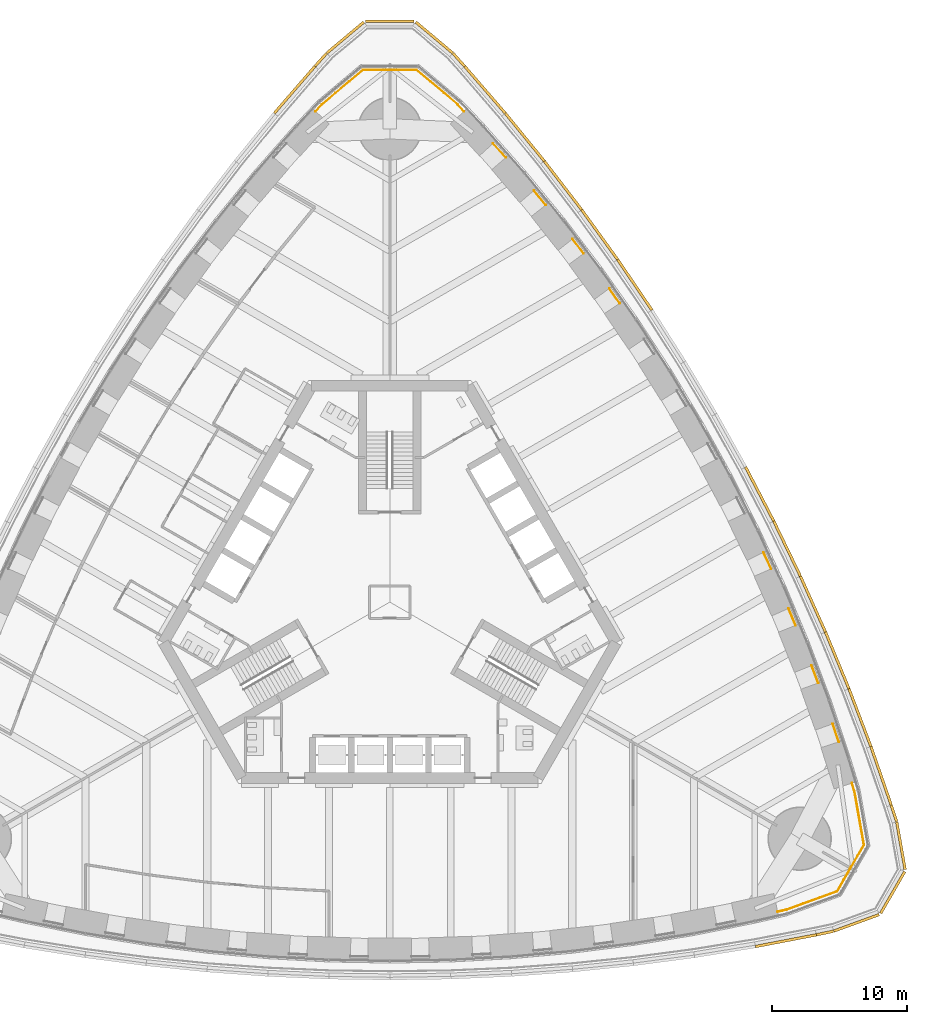
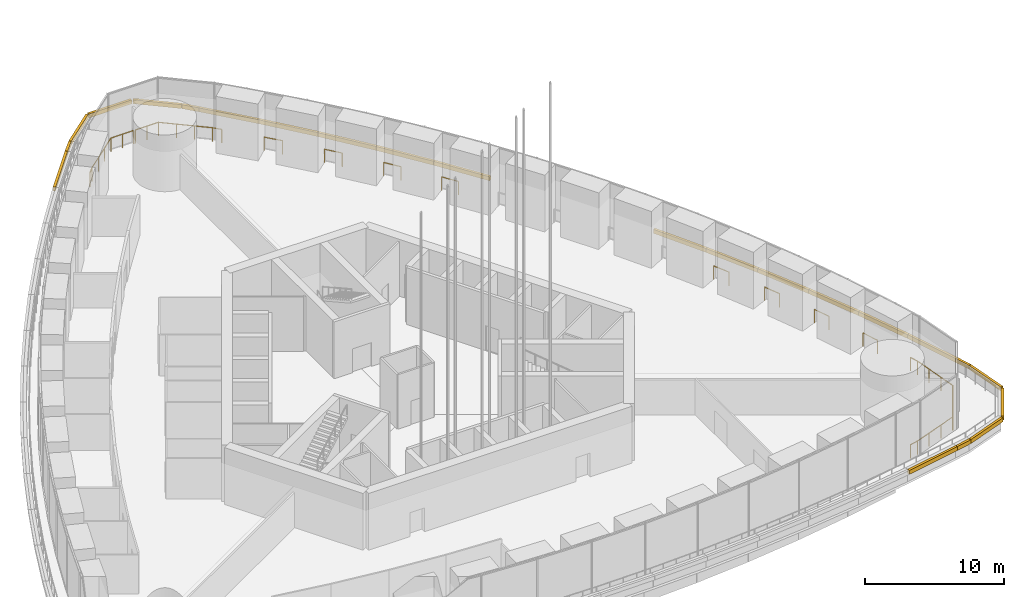
# One storey, part 23 of 33: 23 coverings, 12 railings.
"""IFC4 building model written with IfcOpenShell, lengths in metres."""

import ifcopenshell
import ifcopenshell.guid

model = None  # the IFC model being written
_history = None  # IfcOwnerHistory: only IFC2X3 demands one
_inside = {}  # id of a spatial element -> (the spatial element, [elements in it])
_under = {}  # id of a project, library or spatial element -> (it, [spatial elements below it])
_declared = {}  # id of a project -> (the project, [libraries it declares])
_typed = {}  # id of a type object -> (the type object, [elements of that type])
_made_of = {}  # id of a material, layer set ... -> (it, [elements and type objects made of it])


def new_model(schema):
    """Start an empty IFC model of exactly this schema.

    Asked for "IFC4X3", IfcOpenShell would pick the latest addendum, in which some entities
    have other attributes; the version numbers below select the first issue.
    IFC2X3 requires an IfcOwnerHistory on every rooted entity: one is made here for all.
    """
    global model, _history
    if schema == "IFC4X3":
        model = ifcopenshell.file(schema_version=(4, 3, 0, 0))
    else:
        model = ifcopenshell.file(schema=schema)
    _inside.clear()
    _under.clear()
    _declared.clear()
    _typed.clear()
    _made_of.clear()
    _history = None
    if model.schema == "IFC2X3":
        org = make("IfcOrganization", Name="unknown")
        user = make(
            "IfcPersonAndOrganization",
            ThePerson=make("IfcPerson", FamilyName="unknown"),
            TheOrganization=org,
        )
        app = make(
            "IfcApplication",
            ApplicationDeveloper=org,
            Version="unknown",
            ApplicationFullName="unknown",
            ApplicationIdentifier="unknown",
        )
        _history = make(
            "IfcOwnerHistory",
            OwningUser=user,
            OwningApplication=app,
            ChangeAction="ADDED",
            CreationDate=0,
        )
    return model


def make(cls, **values):
    """One entity of the class cls with the attributes given. An attribute that is None is left unset."""
    return model.create_entity(
        cls, **{name: value for name, value in values.items() if value is not None}
    )


def rooted(cls, **values):
    """An entity with a GlobalId (a new one), such as an element, a storey or a relation."""
    return make(cls, GlobalId=ifcopenshell.guid.new(), OwnerHistory=_history, **values)


def si_unit(unit_type, name, prefix=None):
    """IfcSIUnit, for example si_unit("LENGTHUNIT", "METRE", prefix="MILLI")."""
    return make("IfcSIUnit", UnitType=unit_type, Prefix=prefix, Name=name)


def assignment(units):
    """IfcUnitAssignment: the units of a project."""
    return None if units is None else make("IfcUnitAssignment", Units=units)


def point(xyz):
    """IfcCartesianPoint."""
    return None if xyz is None else make("IfcCartesianPoint", Coordinates=xyz)


def direction(xyz):
    """IfcDirection."""
    return None if xyz is None else make("IfcDirection", DirectionRatios=xyz)


def frame(location, z_axis=None, x_axis=None):
    """IfcAxis2Placement3D, a coordinate frame: its origin and axes. An axis left out is left unset."""
    return make(
        "IfcAxis2Placement3D",
        Location=point(location),
        Axis=direction(z_axis),
        RefDirection=direction(x_axis),
    )


def frame_2d(location, x_axis=None):
    """IfcAxis2Placement2D, a coordinate frame in the plane: its origin and x axis."""
    return make(
        "IfcAxis2Placement2D", Location=point(location), RefDirection=direction(x_axis)
    )


def origin():
    """The frame at (0, 0, 0) with its axes left unset."""
    return frame((0.0, 0.0, 0.0))


def origin_2d():
    """The frame at (0, 0) in the plane with its x axis left unset."""
    return frame_2d((0.0, 0.0))


def place(relative_to, where):
    """IfcLocalPlacement: puts the frame where relative to a parent placement (None: the world)."""
    return make(
        "IfcLocalPlacement", PlacementRelTo=relative_to, RelativePlacement=where
    )


def context(
    kind, dimensions, precision=None, world=None, true_north=None, identifier=None
):
    """IfcGeometricRepresentationContext, for example the 3D "Model" context."""
    return make(
        "IfcGeometricRepresentationContext",
        ContextIdentifier=identifier,
        ContextType=kind,
        CoordinateSpaceDimension=dimensions,
        Precision=precision,
        WorldCoordinateSystem=world,
        TrueNorth=true_north,
    )


def subcontext(parent, identifier, kind, view, scale=None):
    """IfcGeometricRepresentationSubContext, for example "Body" below "Model"."""
    return make(
        "IfcGeometricRepresentationSubContext",
        ContextIdentifier=identifier,
        ContextType=kind,
        ParentContext=parent,
        TargetScale=scale,
        TargetView=view,
    )


def project(units=None, contexts=None):
    """IfcProject with its units and contexts."""
    return rooted(
        "IfcProject",
        Name="project",
        RepresentationContexts=contexts,
        UnitsInContext=assignment(units),
    )


def spatial(cls, under=None, at=None, **own):
    """A site, building, storey or space (cls), placed at a placement, below another one or the project."""
    s = rooted(cls, ObjectPlacement=at, **own)
    if under is not None:
        _under.setdefault(under.id(), (under, []))[1].append(s)
    return s


def profile(cls, at=None, kind="AREA", **sizes):
    """A parametric profile (cls). Its sizes go by their IFC names, for example OverallWidth=200.0."""
    return make(cls, ProfileType=kind, Position=at, **sizes)


def rectangle(**sizes):
    """IfcRectangleProfileDef."""
    return profile("IfcRectangleProfileDef", **sizes)


def circle(**sizes):
    """IfcCircleProfileDef."""
    return profile("IfcCircleProfileDef", **sizes)


def extrude(swept, where, along, depth):
    """IfcExtrudedAreaSolid: the profile swept, set in the frame where, extruded along a direction by depth."""
    return make(
        "IfcExtrudedAreaSolid",
        SweptArea=swept,
        Position=where,
        ExtrudedDirection=direction(along),
        Depth=depth,
    )


def shape(context_of_items, identifier, shape_type, items):
    """IfcShapeRepresentation: the items that make up one representation, for example the "Body"."""
    return make(
        "IfcShapeRepresentation",
        ContextOfItems=context_of_items,
        RepresentationIdentifier=identifier,
        RepresentationType=shape_type,
        Items=items,
    )


def material(Name=None, Category=None):
    """IfcMaterial."""
    return make("IfcMaterial", Name=Name, Category=Category)


def made_of(thing, what):
    """Note that an element or type object is made of a material, layer set ...; save() writes the relation."""
    if what is not None:
        _made_of.setdefault(what.id(), (what, []))[1].append(thing)
    return thing


def type_object(cls, material=None, **own):
    """A type object (cls), such as IfcWallType, which elements share."""
    return made_of(rooted(cls, **own), material)


def element(
    cls,
    number,
    at=None,
    inside=None,
    cuts=None,
    type_object=None,
    material=None,
    context=None,
    identifier="Body",
    shape_type=None,
    held_by="IfcProductDefinitionShape",
    body=None,
    shapes=None,
    **own,
):
    """One element of the class cls, such as IfcWall. Its Tag is "e" and its number.

    at: its placement. inside: the storey or other place that contains it. cuts: it is an
    opening in that element (IfcRelVoidsElement). A single representation is given by context,
    identifier, shape_type and body (its items); several are given by shapes. held_by: the class
    of the entity that holds the representations. save() writes the other relations.
    """
    e = rooted(cls, Tag="e%d" % number, ObjectPlacement=at, **own)
    if body is not None:
        shapes = [shape(context, identifier, shape_type, body)]
    if shapes is not None:
        e.Representation = make(held_by, Representations=shapes)
    if inside is not None:
        _inside.setdefault(inside.id(), (inside, []))[1].append(e)
    if cuts is not None:
        rooted(
            "IfcRelVoidsElement", RelatingBuildingElement=cuts, RelatedOpeningElement=e
        )
    if type_object is not None:
        _typed.setdefault(type_object.id(), (type_object, []))[1].append(e)
    return made_of(e, material)


def aggregate(whole, parts):
    """IfcRelAggregates: a whole, such as a stair, and the parts it consists of."""
    return rooted("IfcRelAggregates", RelatingObject=whole, RelatedObjects=parts)


def save(model, path):
    """Write the relations noted so far, then the file.

    IfcRelAggregates (storeys below a building ...), IfcRelContainedInSpatialStructure (elements
    in a storey), IfcRelDefinesByType, IfcRelAssociatesMaterial and IfcRelDeclares: one each for
    every whole, place, type object, material and project.
    """
    for whole, parts in _under.values():
        aggregate(whole, parts)
    for where, things in _inside.values():
        rooted(
            "IfcRelContainedInSpatialStructure",
            RelatedElements=things,
            RelatingStructure=where,
        )
    for kind, things in _typed.values():
        rooted("IfcRelDefinesByType", RelatedObjects=things, RelatingType=kind)
    for what, things in _made_of.values():
        rooted("IfcRelAssociatesMaterial", RelatedObjects=things, RelatingMaterial=what)
    for by, libraries in _declared.values():
        rooted("IfcRelDeclares", RelatingContext=by, RelatedDefinitions=libraries)
    model.write(path)


model = new_model("IFC4")

# Units and contexts
model_context = context("Model", 3, precision=1e-05, world=origin(), true_north=direction((0.0, 1.0)))
body_context = subcontext(model_context, "Body", "Model", "MODEL_VIEW")
ifc_project = project(units=[si_unit("LENGTHUNIT", "METRE"), si_unit("AREAUNIT", "SQUARE_METRE"), si_unit("VOLUMEUNIT", "CUBIC_METRE"), si_unit("PLANEANGLEUNIT", "RADIAN"), si_unit("MASSUNIT", "GRAM", prefix="KILO")], contexts=[model_context])

# Site, building, storey
site_placement = place(None, origin())
site = spatial("IfcSite", under=ifc_project, at=site_placement, CompositionType="ELEMENT")
building_placement = place(site_placement, origin())
building = spatial("IfcBuilding", under=site, at=building_placement, Name="Trefoil Bronze Tower", CompositionType="ELEMENT")
storey_placement = place(building_placement, frame((0.0, 0.0, 98.10009765625)))
storey = spatial("IfcBuildingStorey", under=building, at=storey_placement, Name="L22", CompositionType="ELEMENT", Elevation=98.10009765625)

# Railings
ifc_material_1 = material(Name="Bronze-finish steel guard rail and posts", Category="steel")
railing_type = type_object("IfcRailingType", Name="Glazing guard 1200", PredefinedType="GUARDRAIL", material=ifc_material_1)
railing_1_placement = place(storey_placement, frame((28.6865234375, -22.905029296875, 0.0)))
element("IfcRailing", 1, at=railing_1_placement, inside=storey, type_object=railing_type, Name="Glazing guard L22.18", PredefinedType="GUARDRAIL", context=body_context, shape_type="SweptSolid", body=[
    extrude(circle(Radius=0.02392578125, at=origin_2d()), frame((0.0, 0.0, 1.17578125), z_axis=(0.974265607801, 0.225403028942, 0.0), x_axis=(-0.225403028942, 0.974265607801, 0.0)), (0.0, 0.0, 1.0), 0.68896484375),
    extrude(circle(Radius=0.02392578125, at=origin_2d()), frame((0.671142578125, 0.1552734375, 1.17578125), z_axis=(0.939696367408, 0.342009849391, 0.0), x_axis=(-0.342009849391, 0.939696367408, 0.0)), (0.0, 0.0, 1.0), 3.967529296875),
    extrude(circle(Radius=0.02392578125, at=origin_2d()), frame((4.3994140625, 1.51220703125, 1.17578125), z_axis=(0.499977104415, 0.866038622153, 0.0), x_axis=(-0.866038622153, 0.499977104415, 0.0)), (0.0, 0.0, 1.0), 1.90869140625),
    extrude(circle(Radius=0.02099609375, at=origin_2d()), origin(), (0.0, 0.0, 1.0), 1.15185546875),
    extrude(circle(Radius=0.02099609375, at=origin_2d()), frame((0.671142578125, 0.1552734375, 0.0)), (0.0, 0.0, 1.0), 1.15185546875),
    extrude(circle(Radius=0.02099609375, at=origin_2d()), frame((1.913818359375, 0.607666015625, 0.0)), (0.0, 0.0, 1.0), 1.15185546875),
    extrude(circle(Radius=0.02099609375, at=origin_2d()), frame((3.15673828125, 1.059814453125, 0.0)), (0.0, 0.0, 1.0), 1.15185546875),
    extrude(circle(Radius=0.02099609375, at=origin_2d()), frame((4.3994140625, 1.51220703125, 0.0)), (0.0, 0.0, 1.0), 1.15185546875),
    extrude(circle(Radius=0.02099609375, at=origin_2d()), frame((4.87646484375, 2.3388671875, 0.0)), (0.0, 0.0, 1.0), 1.15185546875),
    extrude(circle(Radius=0.02099609375, at=origin_2d()), frame((5.353759765625, 3.165283203125, 0.0)), (0.0, 0.0, 1.0), 1.15185546875),
])
railing_2_placement = place(storey_placement, frame((34.115234375, -19.60986328125, 0.0)))
element("IfcRailing", 2, at=railing_2_placement, inside=storey, type_object=railing_type, Name="Glazing guard L22.19", PredefinedType="GUARDRAIL", context=body_context, shape_type="SweptSolid", body=[
    extrude(circle(Radius=0.02392578125, at=origin_2d()), frame((0.0, 0.0, 1.17578125), z_axis=(0.499977104415, 0.866038622153, 0.0), x_axis=(-0.866038622153, 0.499977104415, 0.0)), (0.0, 0.0, 1.0), 1.90869140625),
    extrude(circle(Radius=0.02392578125, at=origin_2d()), frame((0.954345703125, 1.653076171875, 1.17578125), z_axis=(-0.173651937522, 0.984807090041, 0.0), x_axis=(-0.984807090041, -0.173651937522, 0.0)), (0.0, 0.0, 1.0), 3.967529296875),
    extrude(circle(Radius=0.02392578125, at=origin_2d()), frame((0.265380859375, 5.560302734375, 1.17578125), z_axis=(-0.291768162996, 0.956489068971, 0.0), x_axis=(-0.956489068971, -0.291768162996, 0.0)), (0.0, 0.0, 1.0), 0.688720703125),
    extrude(circle(Radius=0.02099609375, at=origin_2d()), origin(), (0.0, 0.0, 1.0), 1.15185546875),
    extrude(circle(Radius=0.02099609375, at=origin_2d()), frame((0.47705078125, 0.82666015625, 0.0)), (0.0, 0.0, 1.0), 1.15185546875),
    extrude(circle(Radius=0.02099609375, at=origin_2d()), frame((0.954345703125, 1.653076171875, 0.0)), (0.0, 0.0, 1.0), 1.15185546875),
    extrude(circle(Radius=0.02099609375, at=origin_2d()), frame((0.724609375, 2.95556640625, 0.0)), (0.0, 0.0, 1.0), 1.15185546875),
    extrude(circle(Radius=0.02099609375, at=origin_2d()), frame((0.4951171875, 4.2578125, 0.0)), (0.0, 0.0, 1.0), 1.15185546875),
    extrude(circle(Radius=0.02099609375, at=origin_2d()), frame((0.265380859375, 5.560302734375, 0.0)), (0.0, 0.0, 1.0), 1.15185546875),
    extrude(circle(Radius=0.02099609375, at=origin_2d()), frame((0.064453125, 6.218994140625, 0.0)), (0.0, 0.0, 1.0), 1.15185546875),
])
railing_3_placement = place(storey_placement, frame((33.20703125, -10.34228515625, 0.0)))
element("IfcRailing", 3, at=railing_3_placement, inside=storey, type_object=railing_type, Name="Glazing guard L22.20", PredefinedType="GUARDRAIL", context=body_context, shape_type="SweptSolid", body=[
    extrude(circle(Radius=0.02392578125, at=origin_2d()), frame((0.0, 0.0, 1.17578125), z_axis=(-0.318458348418, 0.947936854607, 0.0), x_axis=(-0.947936854607, -0.318458348418, 0.0)), (0.0, 0.0, 1.0), 1.411376953125),
    extrude(circle(Radius=0.02099609375, at=origin_2d()), origin(), (0.0, 0.0, 1.0), 1.15185546875),
    extrude(circle(Radius=0.02099609375, at=origin_2d()), frame((-0.449462890625, 1.337890625, 0.0)), (0.0, 0.0, 1.0), 1.15185546875),
])
railing_4_placement = place(storey_placement, frame((31.687255859375, -5.98876953125, 0.0)))
element("IfcRailing", 4, at=railing_4_placement, inside=storey, type_object=railing_type, Name="Glazing guard L22.21", PredefinedType="GUARDRAIL", context=body_context, shape_type="SweptSolid", body=[
    extrude(circle(Radius=0.02392578125, at=origin_2d()), frame((0.0, 0.0, 1.17578125), z_axis=(-0.352961015348, 0.935638029178, 0.0), x_axis=(-0.935638029178, -0.352961015348, 0.0)), (0.0, 0.0, 1.0), 1.3828125),
    extrude(circle(Radius=0.02099609375, at=origin_2d()), origin(), (0.0, 0.0, 1.0), 1.15185546875),
    extrude(circle(Radius=0.02099609375, at=origin_2d()), frame((-0.488037109375, 1.293701171875, 0.0)), (0.0, 0.0, 1.0), 1.15185546875),
])
railing_5_placement = place(storey_placement, frame((30.0185546875, -1.720947265625, 0.0)))
element("IfcRailing", 5, at=railing_5_placement, inside=storey, type_object=railing_type, Name="Glazing guard L22.22", PredefinedType="GUARDRAIL", context=body_context, shape_type="SweptSolid", body=[
    extrude(circle(Radius=0.02392578125, at=origin_2d()), frame((0.0, 0.0, 1.17578125), z_axis=(-0.38683516355, 0.922148879651, 0.0), x_axis=(-0.922148879651, -0.38683516355, 0.0)), (0.0, 0.0, 1.0), 1.358154296875),
    extrude(circle(Radius=0.02099609375, at=origin_2d()), origin(), (0.0, 0.0, 1.0), 1.15185546875),
    extrude(circle(Radius=0.02099609375, at=origin_2d()), frame((-0.525390625, 1.25244140625, 0.0)), (0.0, 0.0, 1.0), 1.15185546875),
])
railing_6_placement = place(storey_placement, frame((28.20458984375, 2.46044921875, 0.0)))
element("IfcRailing", 6, at=railing_6_placement, inside=storey, type_object=railing_type, Name="Glazing guard L22.23", PredefinedType="GUARDRAIL", context=body_context, shape_type="SweptSolid", body=[
    extrude(circle(Radius=0.02392578125, at=origin_2d()), frame((0.0, 0.0, 1.17578125), z_axis=(-0.419970742705, 0.907537643997, 0.0), x_axis=(-0.907537643997, -0.419970742705, 0.0)), (0.0, 0.0, 1.0), 1.33984375),
    extrude(circle(Radius=0.02099609375, at=origin_2d()), origin(), (0.0, 0.0, 1.0), 1.15185546875),
    extrude(circle(Radius=0.02099609375, at=origin_2d()), frame((-0.562744140625, 1.216064453125, 0.0)), (0.0, 0.0, 1.0), 1.15185546875),
])
railing_7_placement = place(storey_placement, frame((17.0048828125, 22.100341796875, 0.0)))
element("IfcRailing", 7, at=railing_7_placement, inside=storey, type_object=railing_type, Name="Glazing guard L22.28", PredefinedType="GUARDRAIL", context=body_context, shape_type="SweptSolid", body=[
    extrude(circle(Radius=0.02392578125, at=origin_2d()), frame((0.0, 0.0, 1.17578125), z_axis=(-0.576003348321, 0.817447333302, 0.0), x_axis=(-0.817447333302, -0.576003348321, 0.0)), (0.0, 0.0, 1.0), 1.33984375),
    extrude(circle(Radius=0.02099609375, at=origin_2d()), origin(), (0.0, 0.0, 1.0), 1.15185546875),
    extrude(circle(Radius=0.02099609375, at=origin_2d()), frame((-0.771728515625, 1.09521484375, 0.0)), (0.0, 0.0, 1.0), 1.15185546875),
])
railing_8_placement = place(storey_placement, frame((14.3408203125, 25.776123046875, 0.0)))
element("IfcRailing", 8, at=railing_8_placement, inside=storey, type_object=railing_type, Name="Glazing guard L22.29", PredefinedType="GUARDRAIL", context=body_context, shape_type="SweptSolid", body=[
    extrude(circle(Radius=0.02392578125, at=origin_2d()), frame((0.0, 0.0, 1.17578125), z_axis=(-0.605165317519, 0.796099829464, 0.0), x_axis=(-0.796099829464, -0.605165317519, 0.0)), (0.0, 0.0, 1.0), 1.35791015625),
    extrude(circle(Radius=0.02099609375, at=origin_2d()), origin(), (0.0, 0.0, 1.0), 1.15185546875),
    extrude(circle(Radius=0.02099609375, at=origin_2d()), frame((-0.82177734375, 1.0810546875, 0.0)), (0.0, 0.0, 1.0), 1.15185546875),
])
railing_9_placement = place(storey_placement, frame((11.533447265625, 29.366943359375, 0.0)))
element("IfcRailing", 9, at=railing_9_placement, inside=storey, type_object=railing_type, Name="Glazing guard L22.30", PredefinedType="GUARDRAIL", context=body_context, shape_type="SweptSolid", body=[
    extrude(circle(Radius=0.02392578125, at=origin_2d()), frame((0.0, 0.0, 1.17578125), z_axis=(-0.633805002069, 0.773492869619, 0.0), x_axis=(-0.773492869619, -0.633805002069, 0.0)), (0.0, 0.0, 1.0), 1.382568359375),
    extrude(circle(Radius=0.02099609375, at=origin_2d()), origin(), (0.0, 0.0, 1.0), 1.15185546875),
    extrude(circle(Radius=0.02099609375, at=origin_2d()), frame((-0.876220703125, 1.0693359375, 0.0)), (0.0, 0.0, 1.0), 1.15185546875),
])
railing_10_placement = place(storey_placement, frame((8.580810546875, 32.87109375, 0.0)))
element("IfcRailing", 10, at=railing_10_placement, inside=storey, type_object=railing_type, Name="Glazing guard L22.31", PredefinedType="GUARDRAIL", context=body_context, shape_type="SweptSolid", body=[
    extrude(circle(Radius=0.02392578125, at=origin_2d()), frame((0.0, 0.0, 1.17578125), z_axis=(-0.661707457326, 0.749762122889, 0.0), x_axis=(-0.749762122889, -0.661707457326, 0.0)), (0.0, 0.0, 1.0), 1.411376953125),
    extrude(circle(Radius=0.02099609375, at=origin_2d()), origin(), (0.0, 0.0, 1.0), 1.15185546875),
    extrude(circle(Radius=0.02099609375, at=origin_2d()), frame((-0.933837890625, 1.05810546875, 0.0)), (0.0, 0.0, 1.0), 1.15185546875),
])
railing_11_placement = place(storey_placement, frame((5.4931640625, 36.2958984375, 0.0)))
element("IfcRailing", 11, at=railing_11_placement, inside=storey, type_object=railing_type, Name="Glazing guard L22.32", PredefinedType="GUARDRAIL", context=body_context, shape_type="SweptSolid", body=[
    extrude(circle(Radius=0.02392578125, at=origin_2d()), frame((0.0, 0.0, 1.17578125), z_axis=(-0.682596005613, 0.730795931243, 0.0), x_axis=(-0.730795931243, -0.682596005613, 0.0)), (0.0, 0.0, 1.0), 0.68896484375),
    extrude(circle(Radius=0.02392578125, at=origin_2d()), frame((-0.47021484375, 0.50341796875, 1.17578125), z_axis=(-0.766042967774, 0.64278936793, 0.0), x_axis=(-0.64278936793, -0.766042967774, 0.0)), (0.0, 0.0, 1.0), 3.967529296875),
    extrude(circle(Radius=0.02392578125, at=origin_2d()), frame((-3.509521484375, 3.0537109375, 1.17578125), z_axis=(-1.0, 0.0, 0.0), x_axis=(0.0, -1.0, 0.0)), (0.0, 0.0, 1.0), 1.90869140625),
    extrude(circle(Radius=0.02099609375, at=origin_2d()), origin(), (0.0, 0.0, 1.0), 1.15185546875),
    extrude(circle(Radius=0.02099609375, at=origin_2d()), frame((-0.47021484375, 0.50341796875, 0.0)), (0.0, 0.0, 1.0), 1.15185546875),
    extrude(circle(Radius=0.02099609375, at=origin_2d()), frame((-1.4833984375, 1.353515625, 0.0)), (0.0, 0.0, 1.0), 1.15185546875),
    extrude(circle(Radius=0.02099609375, at=origin_2d()), frame((-2.496337890625, 2.20361328125, 0.0)), (0.0, 0.0, 1.0), 1.15185546875),
    extrude(circle(Radius=0.02099609375, at=origin_2d()), frame((-3.509521484375, 3.0537109375, 0.0)), (0.0, 0.0, 1.0), 1.15185546875),
    extrude(circle(Radius=0.02099609375, at=origin_2d()), frame((-4.4638671875, 3.0537109375, 0.0)), (0.0, 0.0, 1.0), 1.15185546875),
    extrude(circle(Radius=0.02099609375, at=origin_2d()), frame((-5.418212890625, 3.0537109375, 0.0)), (0.0, 0.0, 1.0), 1.15185546875),
])
railing_12_placement = place(storey_placement, frame((-0.074951171875, 39.349609375, 0.0)))
element("IfcRailing", 12, at=railing_12_placement, inside=storey, type_object=railing_type, Name="Glazing guard L22.33", PredefinedType="GUARDRAIL", context=body_context, shape_type="SweptSolid", body=[
    extrude(circle(Radius=0.02392578125, at=origin_2d()), frame((0.0, 0.0, 1.17578125), z_axis=(-1.0, 0.0, 0.0), x_axis=(0.0, -1.0, 0.0)), (0.0, 0.0, 1.0), 1.90869140625),
    extrude(circle(Radius=0.02392578125, at=origin_2d()), frame((-1.90869140625, 0.0, 1.17578125), z_axis=(-0.766042967774, -0.64278936793, 0.0), x_axis=(0.64278936793, -0.766042967774, 0.0)), (0.0, 0.0, 1.0), 3.967529296875),
    extrude(circle(Radius=0.02392578125, at=origin_2d()), frame((-4.947998046875, -2.55029296875, 1.17578125), z_axis=(-0.682596005613, -0.730795931243, 0.0), x_axis=(0.730795931243, -0.682596005613, 0.0)), (0.0, 0.0, 1.0), 0.68896484375),
    extrude(circle(Radius=0.02099609375, at=origin_2d()), origin(), (0.0, 0.0, 1.0), 1.15185546875),
    extrude(circle(Radius=0.02099609375, at=origin_2d()), frame((-0.954345703125, 0.0, 0.0)), (0.0, 0.0, 1.0), 1.15185546875),
    extrude(circle(Radius=0.02099609375, at=origin_2d()), frame((-1.90869140625, 0.0, 0.0)), (0.0, 0.0, 1.0), 1.15185546875),
    extrude(circle(Radius=0.02099609375, at=origin_2d()), frame((-2.921875, -0.85009765625, 0.0)), (0.0, 0.0, 1.0), 1.15185546875),
    extrude(circle(Radius=0.02099609375, at=origin_2d()), frame((-3.934814453125, -1.7001953125, 0.0)), (0.0, 0.0, 1.0), 1.15185546875),
    extrude(circle(Radius=0.02099609375, at=origin_2d()), frame((-4.947998046875, -2.55029296875, 0.0)), (0.0, 0.0, 1.0), 1.15185546875),
    extrude(circle(Radius=0.02099609375, at=origin_2d()), frame((-5.418212890625, -3.0537109375, 0.0)), (0.0, 0.0, 1.0), 1.15185546875),
])

# Coverings
ifc_material_2 = material(Name="Stepped bronze-finish aluminium cornice", Category="aluminium")
covering_type = type_object("IfcCoveringType", Name="Setback cornice 350x200", PredefinedType="MOLDING", material=ifc_material_2)
covering_1_placement = place(storey_placement, frame((29.29248046875, -25.044189453125, 0.749755859375), z_axis=(0.0, 0.0, 1.0), x_axis=(0.982049823817, 0.188621694249, 0.0)))
element("IfcCovering", 13, at=covering_1_placement, inside=storey, type_object=covering_type, Name="Setback cornice L22.14", PredefinedType="MOLDING", context=body_context, shape_type="SweptSolid", body=[
    extrude(rectangle(XDim=4.582275390625, YDim=0.199951171875, at=origin_2d()), origin(), (0.0, 0.0, 1.0), 0.35009765625),
])
covering_2_placement = place(storey_placement, frame((32.177734375, -24.4775390625, 0.749755859375), z_axis=(0.0, 0.0, 1.0), x_axis=(0.978302717045, 0.20718058264, 0.0)))
element("IfcCovering", 14, at=covering_2_placement, inside=storey, type_object=covering_type, Name="Setback cornice L22.15", PredefinedType="MOLDING", context=body_context, shape_type="SweptSolid", body=[
    extrude(rectangle(XDim=1.290283203125, YDim=0.199951171875, at=origin_2d()), origin(), (0.0, 0.0, 1.0), 0.35009765625),
])
for number, where, z_axis, x_axis, name in (
    (15, (34.51318359375, -23.725830078125, 0.749755859375), (0.0, 0.0, 1.0), (0.939692620834, 0.342020143194, 0.0), "Setback cornice L22.16"),
    (16, (37.19580078125, -21.47509765625, 0.749755859375), (0.0, 0.0, 1.0), (0.499999999955, 0.866025403811, 0.0), "Setback cornice L22.17"),
    (17, (37.803955078125, -18.0263671875, 0.749755859375), (0.0, 0.0, 1.0), (-0.173648177684, 0.984807753009, 0.0), "Setback cornice L22.18"),
):
    element("IfcCovering", number, at=place(storey_placement, frame(where, z_axis=z_axis, x_axis=x_axis)), inside=storey, type_object=covering_type, Name=name, PredefinedType="MOLDING", context=body_context, shape_type="SweptSolid", body=[
        extrude(rectangle(XDim=3.562744140625, YDim=0.199951171875, at=origin_2d()), origin(), (0.0, 0.0, 1.0), 0.35009765625),
    ])
covering_3_placement = place(storey_placement, frame((37.287109375, -15.628173828125, 0.749755859375), z_axis=(0.0, 0.0, 1.0), x_axis=(-0.309727710653, 0.950825296915, 0.0)))
element("IfcCovering", 18, at=covering_3_placement, inside=storey, type_object=covering_type, Name="Setback cornice L22.19", PredefinedType="MOLDING", context=body_context, shape_type="SweptSolid", body=[
    extrude(rectangle(XDim=1.290283203125, YDim=0.199951171875, at=origin_2d()), origin(), (0.0, 0.0, 1.0), 0.35009765625),
])
covering_4_placement = place(storey_placement, frame((36.335205078125, -12.845947265625, 0.749755859375), z_axis=(0.0, 0.0, 1.0), x_axis=(-0.327673733133, 0.94479094228, 0.0)))
element("IfcCovering", 19, at=covering_4_placement, inside=storey, type_object=covering_type, Name="Setback cornice L22.20", PredefinedType="MOLDING", context=body_context, shape_type="SweptSolid", body=[
    extrude(rectangle(XDim=4.582275390625, YDim=0.199951171875, at=origin_2d()), origin(), (0.0, 0.0, 1.0), 0.35009765625),
])
covering_5_placement = place(storey_placement, frame((34.772216796875, -8.544677734375, 0.749755859375), z_axis=(0.0, 0.0, 1.0), x_axis=(-0.35537058554, 0.934725492823, 0.0)))
element("IfcCovering", 20, at=covering_5_placement, inside=storey, type_object=covering_type, Name="Setback cornice L22.21", PredefinedType="MOLDING", context=body_context, shape_type="SweptSolid", body=[
    extrude(rectangle(XDim=4.558349609375, YDim=0.199951171875, at=origin_2d()), origin(), (0.0, 0.0, 1.0), 0.35009765625),
])
covering_6_placement = place(storey_placement, frame((33.09130859375, -4.311279296875, 0.749755859375), z_axis=(0.0, 0.0, 1.0), x_axis=(-0.382629580809, 0.923901836718, 0.0)))
element("IfcCovering", 21, at=covering_6_placement, inside=storey, type_object=covering_type, Name="Setback cornice L22.22", PredefinedType="MOLDING", context=body_context, shape_type="SweptSolid", body=[
    extrude(rectangle(XDim=4.538818359375, YDim=0.199951171875, at=origin_2d()), origin(), (0.0, 0.0, 1.0), 0.35009765625),
])
covering_7_placement = place(storey_placement, frame((31.29443359375, -0.14501953125, 0.749755859375), z_axis=(0.0, 0.0, 1.0), x_axis=(-0.409456357969, 0.912329705161, 0.0)))
element("IfcCovering", 22, at=covering_7_placement, inside=storey, type_object=covering_type, Name="Setback cornice L22.23", PredefinedType="MOLDING", context=body_context, shape_type="SweptSolid", body=[
    extrude(rectangle(XDim=4.5234375, YDim=0.199951171875, at=origin_2d()), origin(), (0.0, 0.0, 1.0), 0.35009765625),
])
covering_8_placement = place(storey_placement, frame((29.38232421875, 3.95458984375, 0.749755859375), z_axis=(0.0, 0.0, 1.0), x_axis=(-0.435855345637, 0.900016731889, 0.0)))
element("IfcCovering", 23, at=covering_8_placement, inside=storey, type_object=covering_type, Name="Setback cornice L22.24", PredefinedType="MOLDING", context=body_context, shape_type="SweptSolid", body=[
    extrude(rectangle(XDim=4.511962890625, YDim=0.199951171875, at=origin_2d()), origin(), (0.0, 0.0, 1.0), 0.35009765625),
])
covering_9_placement = place(storey_placement, frame((27.35595703125, 7.988525390625, 0.749755859375), z_axis=(0.0, 0.0, 1.0), x_axis=(-0.46182981851, 0.886968555663, 0.0)))
element("IfcCovering", 24, at=covering_9_placement, inside=storey, type_object=covering_type, Name="Setback cornice L22.25", PredefinedType="MOLDING", context=body_context, shape_type="SweptSolid", body=[
    extrude(rectangle(XDim=4.504150390625, YDim=0.199951171875, at=origin_2d()), origin(), (0.0, 0.0, 1.0), 0.35009765625),
])
covering_10_placement = place(storey_placement, frame((18.115966796875, 23.468505859375, 0.749755859375), z_axis=(0.0, 0.0, 1.0), x_axis=(-0.561509680828, 0.827470167642, 0.0)))
element("IfcCovering", 25, at=covering_10_placement, inside=storey, type_object=covering_type, Name="Setback cornice L22.29", PredefinedType="MOLDING", context=body_context, shape_type="SweptSolid", body=[
    extrude(rectangle(XDim=4.511962890625, YDim=0.199951171875, at=origin_2d()), origin(), (0.0, 0.0, 1.0), 0.35009765625),
])
covering_11_placement = place(storey_placement, frame((15.521484375, 27.17431640625, 0.749755859375), z_axis=(0.0, 0.0, 1.0), x_axis=(-0.585372522326, 0.810764460312, 0.0)))
element("IfcCovering", 26, at=covering_11_placement, inside=storey, type_object=covering_type, Name="Setback cornice L22.30", PredefinedType="MOLDING", context=body_context, shape_type="SweptSolid", body=[
    extrude(rectangle(XDim=4.5234375, YDim=0.199951171875, at=origin_2d()), origin(), (0.0, 0.0, 1.0), 0.35009765625),
])
covering_12_placement = place(storey_placement, frame((12.81201171875, 30.813720703125, 0.749755859375), z_axis=(0.0, 0.0, 1.0), x_axis=(-0.608807670727, 0.793317855632, 0.0)))
element("IfcCovering", 27, at=covering_12_placement, inside=storey, type_object=covering_type, Name="Setback cornice L22.31", PredefinedType="MOLDING", context=body_context, shape_type="SweptSolid", body=[
    extrude(rectangle(XDim=4.538818359375, YDim=0.199951171875, at=origin_2d()), origin(), (0.0, 0.0, 1.0), 0.35009765625),
])
covering_13_placement = place(storey_placement, frame((9.986328125, 34.3857421875, 0.749755859375), z_axis=(0.0, 0.0, 1.0), x_axis=(-0.631810729566, 0.775122701258, 0.0)))
element("IfcCovering", 28, at=covering_13_placement, inside=storey, type_object=covering_type, Name="Setback cornice L22.32", PredefinedType="MOLDING", context=body_context, shape_type="SweptSolid", body=[
    extrude(rectangle(XDim=4.558349609375, YDim=0.199951171875, at=origin_2d()), origin(), (0.0, 0.0, 1.0), 0.35009765625),
])
covering_14_placement = place(storey_placement, frame((7.042724609375, 37.89013671875, 0.749755859375), z_axis=(0.0, 0.0, 1.0), x_axis=(-0.65437609074, 0.756169248163, 0.0)))
element("IfcCovering", 29, at=covering_14_placement, inside=storey, type_object=covering_type, Name="Setback cornice L22.33", PredefinedType="MOLDING", context=body_context, shape_type="SweptSolid", body=[
    extrude(rectangle(XDim=4.582275390625, YDim=0.199951171875, at=origin_2d()), origin(), (0.0, 0.0, 1.0), 0.35009765625),
])
covering_15_placement = place(storey_placement, frame((5.109130859375, 40.10546875, 0.749755859375), z_axis=(0.0, 0.0, 1.0), x_axis=(-0.66857500648, 0.743644714034, 0.0)))
element("IfcCovering", 30, at=covering_15_placement, inside=storey, type_object=covering_type, Name="Setback cornice L22.34", PredefinedType="MOLDING", context=body_context, shape_type="SweptSolid", body=[
    extrude(rectangle(XDim=1.290283203125, YDim=0.199951171875, at=origin_2d()), origin(), (0.0, 0.0, 1.0), 0.35009765625),
])
for number, where, z_axis, x_axis, name in (
    (31, (3.29052734375, 41.752197265625, 0.749755859375), (0.0, 0.0, 1.0), (-0.766044443164, 0.642787609633, 0.0), "Setback cornice L22.35"),
    (32, (0.0, 42.949951171875, 0.749755859375), (0.0, 0.0, 1.0), (-1.0, 0.0, 0.0), "Setback cornice L22.36"),
    (33, (-3.29052734375, 41.752197265625, 0.749755859375), (0.0, 0.0, 1.0), (-0.766044443164, -0.642787609633, 0.0), "Setback cornice L22.37"),
):
    element("IfcCovering", number, at=place(storey_placement, frame(where, z_axis=z_axis, x_axis=x_axis)), inside=storey, type_object=covering_type, Name=name, PredefinedType="MOLDING", context=body_context, shape_type="SweptSolid", body=[
        extrude(rectangle(XDim=3.562744140625, YDim=0.199951171875, at=origin_2d()), origin(), (0.0, 0.0, 1.0), 0.35009765625),
    ])
covering_16_placement = place(storey_placement, frame((-5.109130859375, 40.10546875, 0.749755859375), z_axis=(0.0, 0.0, 1.0), x_axis=(-0.66857500648, -0.743644714034, 0.0)))
element("IfcCovering", 34, at=covering_16_placement, inside=storey, type_object=covering_type, Name="Setback cornice L22.38", PredefinedType="MOLDING", context=body_context, shape_type="SweptSolid", body=[
    extrude(rectangle(XDim=1.290283203125, YDim=0.199951171875, at=origin_2d()), origin(), (0.0, 0.0, 1.0), 0.35009765625),
])
covering_17_placement = place(storey_placement, frame((-7.042724609375, 37.89013671875, 0.749755859375), z_axis=(0.0, 0.0, 1.0), x_axis=(-0.65437609074, -0.756169248163, 0.0)))
element("IfcCovering", 35, at=covering_17_placement, inside=storey, type_object=covering_type, Name="Setback cornice L22.39", PredefinedType="MOLDING", context=body_context, shape_type="SweptSolid", body=[
    extrude(rectangle(XDim=4.582275390625, YDim=0.199951171875, at=origin_2d()), origin(), (0.0, 0.0, 1.0), 0.35009765625),
])

save(model, "model.ifc")
